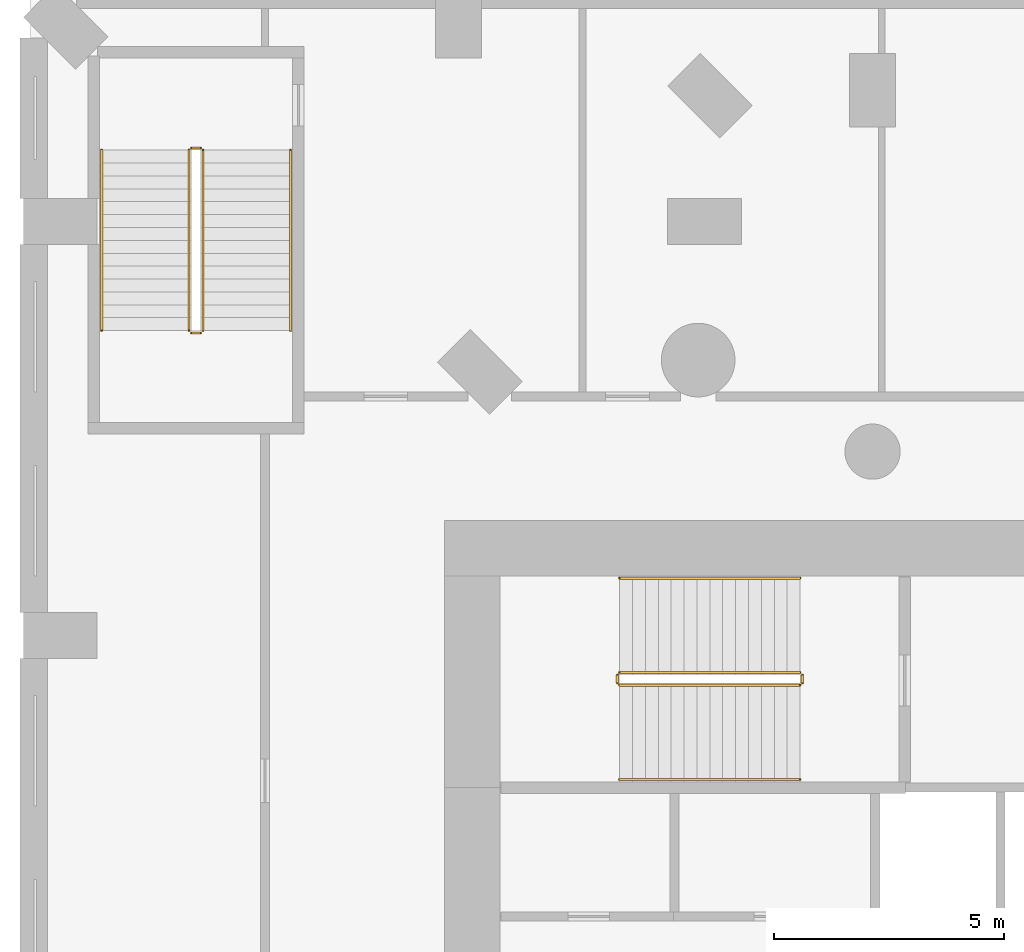
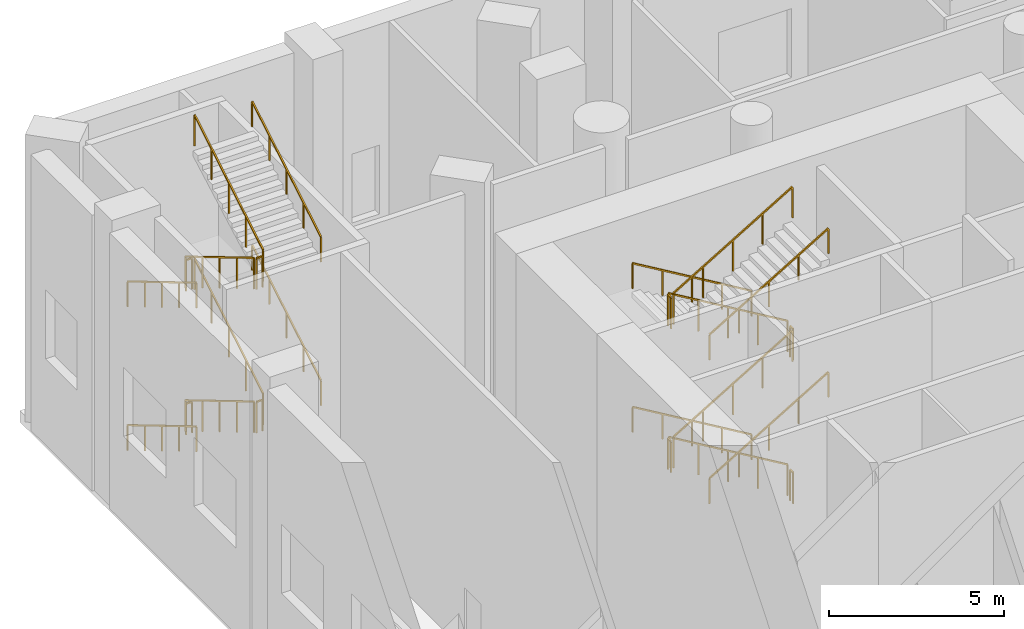
# One storey, part 16 of 17: 24 railings.
"""IFC4 building model written with IfcOpenShell, lengths in metres."""

from ifc_helpers import new_model, si_unit, direction, frame, origin, origin_2d, place, context, subcontext, project, spatial, rectangle, extrude, material, type_object, element, save


model = new_model("IFC4")

# Units and contexts
model_context = context("Model", 3, precision=1e-05, world=origin(), true_north=direction((0.0, 1.0)))
body_context = subcontext(model_context, "Body", "Model", "MODEL_VIEW")
ifc_project = project(units=[si_unit("LENGTHUNIT", "METRE"), si_unit("AREAUNIT", "SQUARE_METRE"), si_unit("VOLUMEUNIT", "CUBIC_METRE"), si_unit("PLANEANGLEUNIT", "RADIAN"), si_unit("MASSUNIT", "GRAM", prefix="KILO")], contexts=[model_context])

# Site, building, storey
site_placement = place(None, origin())
site = spatial("IfcSite", under=ifc_project, at=site_placement, CompositionType="ELEMENT")
building_placement = place(site_placement, origin())
building = spatial("IfcBuilding", under=site, at=building_placement, Name="Cypress Arch Tower", CompositionType="ELEMENT")
storey_placement = place(building_placement, frame((0.0, 0.0, 19.0)))
storey = spatial("IfcBuildingStorey", under=building, at=storey_placement, Name="L02", CompositionType="ELEMENT", Elevation=19.0)

# Railings
ifc_material_1 = material(Name="Black powder-coated steel square bar 48 mm", Category="steel")
railing_type_1 = type_object("IfcRailingType", Name="Stair handrail HR1", PredefinedType="HANDRAIL", material=ifc_material_1)
railing_1_placement = place(storey_placement, frame((-22.27490234375, 14.75, 0.166748046875)))
element("IfcRailing", 1, at=railing_1_placement, inside=storey, type_object=railing_type_1, Name="L02 B stair handrail 1", PredefinedType="HANDRAIL", context=body_context, shape_type="SweptSolid", body=[
    extrude(rectangle(XDim=0.048095703125, YDim=0.048095703125, at=origin_2d()), frame((0.0, 0.0, 0.8759765625), z_axis=(-0.859310244771, 0.0, 0.511454693235), x_axis=(0.0, -1.0, 0.0)), (0.0, 0.0, 1.0), 4.56201171875),
    extrude(rectangle(XDim=0.0419921875, YDim=0.0419921875, at=origin_2d()), origin(), (0.0, 0.0, 1.0), 0.851806640625),
    extrude(rectangle(XDim=0.0419921875, YDim=0.0419921875, at=origin_2d()), frame((-0.97998046875, 0.0, 0.583251953125)), (0.0, 0.0, 1.0), 0.851806640625),
    extrude(rectangle(XDim=0.0419921875, YDim=0.0419921875, at=origin_2d()), frame((-1.9599609375, 0.0, 1.16650390625)), (0.0, 0.0, 1.0), 0.851806640625),
    extrude(rectangle(XDim=0.0419921875, YDim=0.0419921875, at=origin_2d()), frame((-2.940185546875, 0.0, 1.75)), (0.0, 0.0, 1.0), 0.851806640625),
    extrude(rectangle(XDim=0.0419921875, YDim=0.0419921875, at=origin_2d()), frame((-3.920166015625, 0.0, 2.333251953125)), (0.0, 0.0, 1.0), 0.851806640625),
])
railing_2_placement = place(storey_placement, frame((-26.195068359375, 10.375, 2.666748046875)))
element("IfcRailing", 2, at=railing_2_placement, inside=storey, type_object=railing_type_1, Name="L02 B stair handrail 2", PredefinedType="HANDRAIL", context=body_context, shape_type="SweptSolid", body=[
    extrude(rectangle(XDim=0.048095703125, YDim=0.048095703125, at=origin_2d()), frame((0.0, 0.0, 0.8759765625), z_axis=(0.859310244771, 0.0, 0.511454693235), x_axis=(0.0, 1.0, 0.0)), (0.0, 0.0, 1.0), 4.56201171875),
    extrude(rectangle(XDim=0.0419921875, YDim=0.0419921875, at=origin_2d()), origin(), (0.0, 0.0, 1.0), 0.851806640625),
    extrude(rectangle(XDim=0.0419921875, YDim=0.0419921875, at=origin_2d()), frame((0.97998046875, 0.0, 0.583251953125)), (0.0, 0.0, 1.0), 0.851806640625),
    extrude(rectangle(XDim=0.0419921875, YDim=0.0419921875, at=origin_2d()), frame((1.9599609375, 0.0, 1.16650390625)), (0.0, 0.0, 1.0), 0.851806640625),
    extrude(rectangle(XDim=0.0419921875, YDim=0.0419921875, at=origin_2d()), frame((2.940185546875, 0.0, 1.75)), (0.0, 0.0, 1.0), 0.851806640625),
    extrude(rectangle(XDim=0.0419921875, YDim=0.0419921875, at=origin_2d()), frame((3.920166015625, 0.0, 2.333251953125)), (0.0, 0.0, 1.0), 0.851806640625),
])
railing_3_placement = place(storey_placement, frame((-22.27490234375, 14.75, 5.166748046875)))
element("IfcRailing", 3, at=railing_3_placement, inside=storey, type_object=railing_type_1, Name="L02 B stair handrail 3", PredefinedType="HANDRAIL", context=body_context, shape_type="SweptSolid", body=[
    extrude(rectangle(XDim=0.048095703125, YDim=0.048095703125, at=origin_2d()), frame((0.0, 0.0, 0.8759765625), z_axis=(-0.859310244771, 0.0, 0.511454693235), x_axis=(0.0, -1.0, 0.0)), (0.0, 0.0, 1.0), 4.56201171875),
    extrude(rectangle(XDim=0.0419921875, YDim=0.0419921875, at=origin_2d()), origin(), (0.0, 0.0, 1.0), 0.851806640625),
    extrude(rectangle(XDim=0.0419921875, YDim=0.0419921875, at=origin_2d()), frame((-0.97998046875, 0.0, 0.583251953125)), (0.0, 0.0, 1.0), 0.851806640625),
    extrude(rectangle(XDim=0.0419921875, YDim=0.0419921875, at=origin_2d()), frame((-1.9599609375, 0.0, 1.16650390625)), (0.0, 0.0, 1.0), 0.851806640625),
    extrude(rectangle(XDim=0.0419921875, YDim=0.0419921875, at=origin_2d()), frame((-2.940185546875, 0.0, 1.75)), (0.0, 0.0, 1.0), 0.851806640625),
    extrude(rectangle(XDim=0.0419921875, YDim=0.0419921875, at=origin_2d()), frame((-3.920166015625, 0.0, 2.333251953125)), (0.0, 0.0, 1.0), 0.851806640625),
])
railing_4_placement = place(storey_placement, frame((-26.195068359375, 10.375, 7.666748046875)))
element("IfcRailing", 4, at=railing_4_placement, inside=storey, type_object=railing_type_1, Name="L02 B stair handrail 4", PredefinedType="HANDRAIL", context=body_context, shape_type="SweptSolid", body=[
    extrude(rectangle(XDim=0.048095703125, YDim=0.048095703125, at=origin_2d()), frame((0.0, 0.0, 0.8759765625), z_axis=(0.859310244771, 0.0, 0.511454693235), x_axis=(0.0, 1.0, 0.0)), (0.0, 0.0, 1.0), 4.56201171875),
    extrude(rectangle(XDim=0.0419921875, YDim=0.0419921875, at=origin_2d()), origin(), (0.0, 0.0, 1.0), 0.851806640625),
    extrude(rectangle(XDim=0.0419921875, YDim=0.0419921875, at=origin_2d()), frame((0.97998046875, 0.0, 0.583251953125)), (0.0, 0.0, 1.0), 0.851806640625),
    extrude(rectangle(XDim=0.0419921875, YDim=0.0419921875, at=origin_2d()), frame((1.9599609375, 0.0, 1.16650390625)), (0.0, 0.0, 1.0), 0.851806640625),
    extrude(rectangle(XDim=0.0419921875, YDim=0.0419921875, at=origin_2d()), frame((2.940185546875, 0.0, 1.75)), (0.0, 0.0, 1.0), 0.851806640625),
    extrude(rectangle(XDim=0.0419921875, YDim=0.0419921875, at=origin_2d()), frame((3.920166015625, 0.0, 2.333251953125)), (0.0, 0.0, 1.0), 0.851806640625),
])
railing_5_placement = place(storey_placement, frame((-37.449951171875, 24.050048828125, 0.166748046875)))
element("IfcRailing", 5, at=railing_5_placement, inside=storey, type_object=railing_type_1, Name="L02 P2 stair handrail 1", PredefinedType="HANDRAIL", context=body_context, shape_type="SweptSolid", body=[
    extrude(rectangle(XDim=0.048095703125, YDim=0.048095703125, at=origin_2d()), frame((0.0, 0.0, 0.8759765625), z_axis=(0.0, -0.859310244771, 0.511454693235), x_axis=(1.0, 0.0, 0.0)), (0.0, 0.0, 1.0), 4.56201171875),
    extrude(rectangle(XDim=0.0419921875, YDim=0.0419921875, at=origin_2d()), origin(), (0.0, 0.0, 1.0), 0.851806640625),
    extrude(rectangle(XDim=0.0419921875, YDim=0.0419921875, at=origin_2d()), frame((0.0, -0.97998046875, 0.583251953125)), (0.0, 0.0, 1.0), 0.851806640625),
    extrude(rectangle(XDim=0.0419921875, YDim=0.0419921875, at=origin_2d()), frame((0.0, -1.9599609375, 1.16650390625)), (0.0, 0.0, 1.0), 0.851806640625),
    extrude(rectangle(XDim=0.0419921875, YDim=0.0419921875, at=origin_2d()), frame((0.0, -2.940185546875, 1.75)), (0.0, 0.0, 1.0), 0.851806640625),
    extrude(rectangle(XDim=0.0419921875, YDim=0.0419921875, at=origin_2d()), frame((0.0, -3.920166015625, 2.333251953125)), (0.0, 0.0, 1.0), 0.851806640625),
])
railing_6_placement = place(storey_placement, frame((-33.35009765625, 20.1298828125, 2.666748046875)))
element("IfcRailing", 6, at=railing_6_placement, inside=storey, type_object=railing_type_1, Name="L02 P2 stair handrail 2", PredefinedType="HANDRAIL", context=body_context, shape_type="SweptSolid", body=[
    extrude(rectangle(XDim=0.048095703125, YDim=0.048095703125, at=origin_2d()), frame((0.0, 0.0, 0.8759765625), z_axis=(0.0, 0.859310244771, 0.511454693235), x_axis=(-1.0, 0.0, 0.0)), (0.0, 0.0, 1.0), 4.56201171875),
    extrude(rectangle(XDim=0.0419921875, YDim=0.0419921875, at=origin_2d()), origin(), (0.0, 0.0, 1.0), 0.851806640625),
    extrude(rectangle(XDim=0.0419921875, YDim=0.0419921875, at=origin_2d()), frame((0.0, 0.97998046875, 0.583251953125)), (0.0, 0.0, 1.0), 0.851806640625),
    extrude(rectangle(XDim=0.0419921875, YDim=0.0419921875, at=origin_2d()), frame((0.0, 1.9599609375, 1.16650390625)), (0.0, 0.0, 1.0), 0.851806640625),
    extrude(rectangle(XDim=0.0419921875, YDim=0.0419921875, at=origin_2d()), frame((0.0, 2.940185546875, 1.75)), (0.0, 0.0, 1.0), 0.851806640625),
    extrude(rectangle(XDim=0.0419921875, YDim=0.0419921875, at=origin_2d()), frame((0.0, 3.920166015625, 2.333251953125)), (0.0, 0.0, 1.0), 0.851806640625),
])
railing_7_placement = place(storey_placement, frame((-37.449951171875, 24.050048828125, 5.166748046875)))
element("IfcRailing", 7, at=railing_7_placement, inside=storey, type_object=railing_type_1, Name="L02 P2 stair handrail 3", PredefinedType="HANDRAIL", context=body_context, shape_type="SweptSolid", body=[
    extrude(rectangle(XDim=0.048095703125, YDim=0.048095703125, at=origin_2d()), frame((0.0, 0.0, 0.8759765625), z_axis=(0.0, -0.859310244771, 0.511454693235), x_axis=(1.0, 0.0, 0.0)), (0.0, 0.0, 1.0), 4.56201171875),
    extrude(rectangle(XDim=0.0419921875, YDim=0.0419921875, at=origin_2d()), origin(), (0.0, 0.0, 1.0), 0.851806640625),
    extrude(rectangle(XDim=0.0419921875, YDim=0.0419921875, at=origin_2d()), frame((0.0, -0.97998046875, 0.583251953125)), (0.0, 0.0, 1.0), 0.851806640625),
    extrude(rectangle(XDim=0.0419921875, YDim=0.0419921875, at=origin_2d()), frame((0.0, -1.9599609375, 1.16650390625)), (0.0, 0.0, 1.0), 0.851806640625),
    extrude(rectangle(XDim=0.0419921875, YDim=0.0419921875, at=origin_2d()), frame((0.0, -2.940185546875, 1.75)), (0.0, 0.0, 1.0), 0.851806640625),
    extrude(rectangle(XDim=0.0419921875, YDim=0.0419921875, at=origin_2d()), frame((0.0, -3.920166015625, 2.333251953125)), (0.0, 0.0, 1.0), 0.851806640625),
])
railing_8_placement = place(storey_placement, frame((-33.35009765625, 20.1298828125, 7.666748046875)))
element("IfcRailing", 8, at=railing_8_placement, inside=storey, type_object=railing_type_1, Name="L02 P2 stair handrail 4", PredefinedType="HANDRAIL", context=body_context, shape_type="SweptSolid", body=[
    extrude(rectangle(XDim=0.048095703125, YDim=0.048095703125, at=origin_2d()), frame((0.0, 0.0, 0.8759765625), z_axis=(0.0, 0.859310244771, 0.511454693235), x_axis=(-1.0, 0.0, 0.0)), (0.0, 0.0, 1.0), 4.56201171875),
    extrude(rectangle(XDim=0.0419921875, YDim=0.0419921875, at=origin_2d()), origin(), (0.0, 0.0, 1.0), 0.851806640625),
    extrude(rectangle(XDim=0.0419921875, YDim=0.0419921875, at=origin_2d()), frame((0.0, 0.97998046875, 0.583251953125)), (0.0, 0.0, 1.0), 0.851806640625),
    extrude(rectangle(XDim=0.0419921875, YDim=0.0419921875, at=origin_2d()), frame((0.0, 1.9599609375, 1.16650390625)), (0.0, 0.0, 1.0), 0.851806640625),
    extrude(rectangle(XDim=0.0419921875, YDim=0.0419921875, at=origin_2d()), frame((0.0, 2.940185546875, 1.75)), (0.0, 0.0, 1.0), 0.851806640625),
    extrude(rectangle(XDim=0.0419921875, YDim=0.0419921875, at=origin_2d()), frame((0.0, 3.920166015625, 2.333251953125)), (0.0, 0.0, 1.0), 0.851806640625),
])
ifc_material_2 = material(Name="Black powder-coated steel balusters", Category="steel")
railing_type_2 = type_object("IfcRailingType", Name="Stair well guard G1", PredefinedType="GUARDRAIL", material=ifc_material_2)
railing_9_placement = place(storey_placement, frame((-22.27490234375, 12.699951171875, 0.166748046875)))
element("IfcRailing", 9, at=railing_9_placement, inside=storey, type_object=railing_type_2, Name="L02 B stair guard 1", PredefinedType="GUARDRAIL", context=body_context, shape_type="SweptSolid", body=[
    extrude(rectangle(XDim=0.048095703125, YDim=0.048095703125, at=origin_2d()), frame((0.0, 0.0, 1.076171875), z_axis=(-0.859310244771, 0.0, 0.511454693235), x_axis=(0.0, -1.0, 0.0)), (0.0, 0.0, 1.0), 4.56201171875),
    extrude(rectangle(XDim=0.0419921875, YDim=0.0419921875, at=origin_2d()), origin(), (0.0, 0.0, 1.0), 1.052001953125),
    extrude(rectangle(XDim=0.0419921875, YDim=0.0419921875, at=origin_2d()), frame((-0.97998046875, 0.0, 0.583251953125)), (0.0, 0.0, 1.0), 1.052001953125),
    extrude(rectangle(XDim=0.0419921875, YDim=0.0419921875, at=origin_2d()), frame((-1.9599609375, 0.0, 1.16650390625)), (0.0, 0.0, 1.0), 1.052001953125),
    extrude(rectangle(XDim=0.0419921875, YDim=0.0419921875, at=origin_2d()), frame((-2.940185546875, 0.0, 1.75)), (0.0, 0.0, 1.0), 1.052001953125),
    extrude(rectangle(XDim=0.0419921875, YDim=0.0419921875, at=origin_2d()), frame((-3.920166015625, 0.0, 2.333251953125)), (0.0, 0.0, 1.0), 1.052001953125),
])
railing_10_placement = place(storey_placement, frame((-26.2451171875, 12.64990234375, 2.5)))
element("IfcRailing", 10, at=railing_10_placement, inside=storey, type_object=railing_type_2, Name="L02 B stair guard 2", PredefinedType="GUARDRAIL", context=body_context, shape_type="SweptSolid", body=[
    extrude(rectangle(XDim=0.048095703125, YDim=0.048095703125, at=origin_2d()), frame((0.0, 0.0, 1.076171875), z_axis=(0.0, -1.0, 0.0), x_axis=(1.0, 0.0, 0.0)), (0.0, 0.0, 1.0), 0.1748046875),
    extrude(rectangle(XDim=0.0419921875, YDim=0.0419921875, at=origin_2d()), origin(), (0.0, 0.0, 1.0), 1.052001953125),
    extrude(rectangle(XDim=0.0419921875, YDim=0.0419921875, at=origin_2d()), frame((0.0, -0.1748046875, 0.0)), (0.0, 0.0, 1.0), 1.052001953125),
])
railing_11_placement = place(storey_placement, frame((-26.195068359375, 12.425048828125, 2.666748046875)))
element("IfcRailing", 11, at=railing_11_placement, inside=storey, type_object=railing_type_2, Name="L02 B stair guard 3", PredefinedType="GUARDRAIL", context=body_context, shape_type="SweptSolid", body=[
    extrude(rectangle(XDim=0.048095703125, YDim=0.048095703125, at=origin_2d()), frame((0.0, 0.0, 1.076171875), z_axis=(0.859310244771, 0.0, 0.511454693235), x_axis=(0.0, 1.0, 0.0)), (0.0, 0.0, 1.0), 4.56201171875),
    extrude(rectangle(XDim=0.0419921875, YDim=0.0419921875, at=origin_2d()), origin(), (0.0, 0.0, 1.0), 1.052001953125),
    extrude(rectangle(XDim=0.0419921875, YDim=0.0419921875, at=origin_2d()), frame((0.97998046875, 0.0, 0.583251953125)), (0.0, 0.0, 1.0), 1.052001953125),
    extrude(rectangle(XDim=0.0419921875, YDim=0.0419921875, at=origin_2d()), frame((1.9599609375, 0.0, 1.16650390625)), (0.0, 0.0, 1.0), 1.052001953125),
    extrude(rectangle(XDim=0.0419921875, YDim=0.0419921875, at=origin_2d()), frame((2.940185546875, 0.0, 1.75)), (0.0, 0.0, 1.0), 1.052001953125),
    extrude(rectangle(XDim=0.0419921875, YDim=0.0419921875, at=origin_2d()), frame((3.920166015625, 0.0, 2.333251953125)), (0.0, 0.0, 1.0), 1.052001953125),
])
railing_12_placement = place(storey_placement, frame((-22.22509765625, 12.64990234375, 5.0)))
element("IfcRailing", 12, at=railing_12_placement, inside=storey, type_object=railing_type_2, Name="L02 B stair guard 4", PredefinedType="GUARDRAIL", context=body_context, shape_type="SweptSolid", body=[
    extrude(rectangle(XDim=0.048095703125, YDim=0.048095703125, at=origin_2d()), frame((0.0, 0.0, 1.076171875), z_axis=(0.0, -1.0, 0.0), x_axis=(1.0, 0.0, 0.0)), (0.0, 0.0, 1.0), 0.1748046875),
    extrude(rectangle(XDim=0.0419921875, YDim=0.0419921875, at=origin_2d()), origin(), (0.0, 0.0, 1.0), 1.052001953125),
    extrude(rectangle(XDim=0.0419921875, YDim=0.0419921875, at=origin_2d()), frame((0.0, -0.1748046875, 0.0)), (0.0, 0.0, 1.0), 1.052001953125),
])
railing_13_placement = place(storey_placement, frame((-22.27490234375, 12.699951171875, 5.166748046875)))
element("IfcRailing", 13, at=railing_13_placement, inside=storey, type_object=railing_type_2, Name="L02 B stair guard 5", PredefinedType="GUARDRAIL", context=body_context, shape_type="SweptSolid", body=[
    extrude(rectangle(XDim=0.048095703125, YDim=0.048095703125, at=origin_2d()), frame((0.0, 0.0, 1.076171875), z_axis=(-0.859310244771, 0.0, 0.511454693235), x_axis=(0.0, -1.0, 0.0)), (0.0, 0.0, 1.0), 4.56201171875),
    extrude(rectangle(XDim=0.0419921875, YDim=0.0419921875, at=origin_2d()), origin(), (0.0, 0.0, 1.0), 1.052001953125),
    extrude(rectangle(XDim=0.0419921875, YDim=0.0419921875, at=origin_2d()), frame((-0.97998046875, 0.0, 0.583251953125)), (0.0, 0.0, 1.0), 1.052001953125),
    extrude(rectangle(XDim=0.0419921875, YDim=0.0419921875, at=origin_2d()), frame((-1.9599609375, 0.0, 1.16650390625)), (0.0, 0.0, 1.0), 1.052001953125),
    extrude(rectangle(XDim=0.0419921875, YDim=0.0419921875, at=origin_2d()), frame((-2.940185546875, 0.0, 1.75)), (0.0, 0.0, 1.0), 1.052001953125),
    extrude(rectangle(XDim=0.0419921875, YDim=0.0419921875, at=origin_2d()), frame((-3.920166015625, 0.0, 2.333251953125)), (0.0, 0.0, 1.0), 1.052001953125),
])
railing_14_placement = place(storey_placement, frame((-26.2451171875, 12.64990234375, 7.5)))
element("IfcRailing", 14, at=railing_14_placement, inside=storey, type_object=railing_type_2, Name="L02 B stair guard 6", PredefinedType="GUARDRAIL", context=body_context, shape_type="SweptSolid", body=[
    extrude(rectangle(XDim=0.048095703125, YDim=0.048095703125, at=origin_2d()), frame((0.0, 0.0, 1.076171875), z_axis=(0.0, -1.0, 0.0), x_axis=(1.0, 0.0, 0.0)), (0.0, 0.0, 1.0), 0.1748046875),
    extrude(rectangle(XDim=0.0419921875, YDim=0.0419921875, at=origin_2d()), origin(), (0.0, 0.0, 1.0), 1.052001953125),
    extrude(rectangle(XDim=0.0419921875, YDim=0.0419921875, at=origin_2d()), frame((0.0, -0.1748046875, 0.0)), (0.0, 0.0, 1.0), 1.052001953125),
])
railing_15_placement = place(storey_placement, frame((-26.195068359375, 12.425048828125, 7.666748046875)))
element("IfcRailing", 15, at=railing_15_placement, inside=storey, type_object=railing_type_2, Name="L02 B stair guard 7", PredefinedType="GUARDRAIL", context=body_context, shape_type="SweptSolid", body=[
    extrude(rectangle(XDim=0.048095703125, YDim=0.048095703125, at=origin_2d()), frame((0.0, 0.0, 1.076171875), z_axis=(0.859310244771, 0.0, 0.511454693235), x_axis=(0.0, 1.0, 0.0)), (0.0, 0.0, 1.0), 4.56201171875),
    extrude(rectangle(XDim=0.0419921875, YDim=0.0419921875, at=origin_2d()), origin(), (0.0, 0.0, 1.0), 1.052001953125),
    extrude(rectangle(XDim=0.0419921875, YDim=0.0419921875, at=origin_2d()), frame((0.97998046875, 0.0, 0.583251953125)), (0.0, 0.0, 1.0), 1.052001953125),
    extrude(rectangle(XDim=0.0419921875, YDim=0.0419921875, at=origin_2d()), frame((1.9599609375, 0.0, 1.16650390625)), (0.0, 0.0, 1.0), 1.052001953125),
    extrude(rectangle(XDim=0.0419921875, YDim=0.0419921875, at=origin_2d()), frame((2.940185546875, 0.0, 1.75)), (0.0, 0.0, 1.0), 1.052001953125),
    extrude(rectangle(XDim=0.0419921875, YDim=0.0419921875, at=origin_2d()), frame((3.920166015625, 0.0, 2.333251953125)), (0.0, 0.0, 1.0), 1.052001953125),
])
railing_16_placement = place(storey_placement, frame((-22.22509765625, 12.64990234375, 0.0)))
element("IfcRailing", 16, at=railing_16_placement, inside=storey, type_object=railing_type_2, Name="L02 B stair guard 8", PredefinedType="GUARDRAIL", context=body_context, shape_type="SweptSolid", body=[
    extrude(rectangle(XDim=0.048095703125, YDim=0.048095703125, at=origin_2d()), frame((0.0, 0.0, 1.076171875), z_axis=(0.0, -1.0, 0.0), x_axis=(1.0, 0.0, 0.0)), (0.0, 0.0, 1.0), 0.1748046875),
    extrude(rectangle(XDim=0.0419921875, YDim=0.0419921875, at=origin_2d()), origin(), (0.0, 0.0, 1.0), 1.052001953125),
    extrude(rectangle(XDim=0.0419921875, YDim=0.0419921875, at=origin_2d()), frame((0.0, -0.1748046875, 0.0)), (0.0, 0.0, 1.0), 1.052001953125),
])
railing_17_placement = place(storey_placement, frame((-35.550048828125, 24.050048828125, 0.166748046875)))
element("IfcRailing", 17, at=railing_17_placement, inside=storey, type_object=railing_type_2, Name="L02 P2 stair guard 1", PredefinedType="GUARDRAIL", context=body_context, shape_type="SweptSolid", body=[
    extrude(rectangle(XDim=0.048095703125, YDim=0.048095703125, at=origin_2d()), frame((0.0, 0.0, 1.076171875), z_axis=(0.0, -0.859310244771, 0.511454693235), x_axis=(1.0, 0.0, 0.0)), (0.0, 0.0, 1.0), 4.56201171875),
    extrude(rectangle(XDim=0.0419921875, YDim=0.0419921875, at=origin_2d()), origin(), (0.0, 0.0, 1.0), 1.052001953125),
    extrude(rectangle(XDim=0.0419921875, YDim=0.0419921875, at=origin_2d()), frame((0.0, -0.97998046875, 0.583251953125)), (0.0, 0.0, 1.0), 1.052001953125),
    extrude(rectangle(XDim=0.0419921875, YDim=0.0419921875, at=origin_2d()), frame((0.0, -1.9599609375, 1.16650390625)), (0.0, 0.0, 1.0), 1.052001953125),
    extrude(rectangle(XDim=0.0419921875, YDim=0.0419921875, at=origin_2d()), frame((0.0, -2.940185546875, 1.75)), (0.0, 0.0, 1.0), 1.052001953125),
    extrude(rectangle(XDim=0.0419921875, YDim=0.0419921875, at=origin_2d()), frame((0.0, -3.920166015625, 2.333251953125)), (0.0, 0.0, 1.0), 1.052001953125),
])
railing_18_placement = place(storey_placement, frame((-35.5, 20.080078125, 2.5)))
element("IfcRailing", 18, at=railing_18_placement, inside=storey, type_object=railing_type_2, Name="L02 P2 stair guard 2", PredefinedType="GUARDRAIL", context=body_context, shape_type="SweptSolid", body=[
    extrude(rectangle(XDim=0.048095703125, YDim=0.048095703125, at=origin_2d()), frame((0.0, 0.0, 1.076171875), z_axis=(1.0, 0.0, 0.0), x_axis=(0.0, 1.0, 0.0)), (0.0, 0.0, 1.0), 0.199951171875),
    extrude(rectangle(XDim=0.0419921875, YDim=0.0419921875, at=origin_2d()), origin(), (0.0, 0.0, 1.0), 1.052001953125),
    extrude(rectangle(XDim=0.0419921875, YDim=0.0419921875, at=origin_2d()), frame((0.199951171875, 0.0, 0.0)), (0.0, 0.0, 1.0), 1.052001953125),
])
railing_19_placement = place(storey_placement, frame((-35.25, 20.1298828125, 2.666748046875)))
element("IfcRailing", 19, at=railing_19_placement, inside=storey, type_object=railing_type_2, Name="L02 P2 stair guard 3", PredefinedType="GUARDRAIL", context=body_context, shape_type="SweptSolid", body=[
    extrude(rectangle(XDim=0.048095703125, YDim=0.048095703125, at=origin_2d()), frame((0.0, 0.0, 1.076171875), z_axis=(0.0, 0.859310244771, 0.511454693235), x_axis=(-1.0, 0.0, 0.0)), (0.0, 0.0, 1.0), 4.56201171875),
    extrude(rectangle(XDim=0.0419921875, YDim=0.0419921875, at=origin_2d()), origin(), (0.0, 0.0, 1.0), 1.052001953125),
    extrude(rectangle(XDim=0.0419921875, YDim=0.0419921875, at=origin_2d()), frame((0.0, 0.97998046875, 0.583251953125)), (0.0, 0.0, 1.0), 1.052001953125),
    extrude(rectangle(XDim=0.0419921875, YDim=0.0419921875, at=origin_2d()), frame((0.0, 1.9599609375, 1.16650390625)), (0.0, 0.0, 1.0), 1.052001953125),
    extrude(rectangle(XDim=0.0419921875, YDim=0.0419921875, at=origin_2d()), frame((0.0, 2.940185546875, 1.75)), (0.0, 0.0, 1.0), 1.052001953125),
    extrude(rectangle(XDim=0.0419921875, YDim=0.0419921875, at=origin_2d()), frame((0.0, 3.920166015625, 2.333251953125)), (0.0, 0.0, 1.0), 1.052001953125),
])
railing_20_placement = place(storey_placement, frame((-35.5, 24.10009765625, 5.0)))
element("IfcRailing", 20, at=railing_20_placement, inside=storey, type_object=railing_type_2, Name="L02 P2 stair guard 4", PredefinedType="GUARDRAIL", context=body_context, shape_type="SweptSolid", body=[
    extrude(rectangle(XDim=0.048095703125, YDim=0.048095703125, at=origin_2d()), frame((0.0, 0.0, 1.076171875), z_axis=(1.0, 0.0, 0.0), x_axis=(0.0, 1.0, 0.0)), (0.0, 0.0, 1.0), 0.199951171875),
    extrude(rectangle(XDim=0.0419921875, YDim=0.0419921875, at=origin_2d()), origin(), (0.0, 0.0, 1.0), 1.052001953125),
    extrude(rectangle(XDim=0.0419921875, YDim=0.0419921875, at=origin_2d()), frame((0.199951171875, 0.0, 0.0)), (0.0, 0.0, 1.0), 1.052001953125),
])
railing_21_placement = place(storey_placement, frame((-35.550048828125, 24.050048828125, 5.166748046875)))
element("IfcRailing", 21, at=railing_21_placement, inside=storey, type_object=railing_type_2, Name="L02 P2 stair guard 5", PredefinedType="GUARDRAIL", context=body_context, shape_type="SweptSolid", body=[
    extrude(rectangle(XDim=0.048095703125, YDim=0.048095703125, at=origin_2d()), frame((0.0, 0.0, 1.076171875), z_axis=(0.0, -0.859310244771, 0.511454693235), x_axis=(1.0, 0.0, 0.0)), (0.0, 0.0, 1.0), 4.56201171875),
    extrude(rectangle(XDim=0.0419921875, YDim=0.0419921875, at=origin_2d()), origin(), (0.0, 0.0, 1.0), 1.052001953125),
    extrude(rectangle(XDim=0.0419921875, YDim=0.0419921875, at=origin_2d()), frame((0.0, -0.97998046875, 0.583251953125)), (0.0, 0.0, 1.0), 1.052001953125),
    extrude(rectangle(XDim=0.0419921875, YDim=0.0419921875, at=origin_2d()), frame((0.0, -1.9599609375, 1.16650390625)), (0.0, 0.0, 1.0), 1.052001953125),
    extrude(rectangle(XDim=0.0419921875, YDim=0.0419921875, at=origin_2d()), frame((0.0, -2.940185546875, 1.75)), (0.0, 0.0, 1.0), 1.052001953125),
    extrude(rectangle(XDim=0.0419921875, YDim=0.0419921875, at=origin_2d()), frame((0.0, -3.920166015625, 2.333251953125)), (0.0, 0.0, 1.0), 1.052001953125),
])
railing_22_placement = place(storey_placement, frame((-35.5, 20.080078125, 7.5)))
element("IfcRailing", 22, at=railing_22_placement, inside=storey, type_object=railing_type_2, Name="L02 P2 stair guard 6", PredefinedType="GUARDRAIL", context=body_context, shape_type="SweptSolid", body=[
    extrude(rectangle(XDim=0.048095703125, YDim=0.048095703125, at=origin_2d()), frame((0.0, 0.0, 1.076171875), z_axis=(1.0, 0.0, 0.0), x_axis=(0.0, 1.0, 0.0)), (0.0, 0.0, 1.0), 0.199951171875),
    extrude(rectangle(XDim=0.0419921875, YDim=0.0419921875, at=origin_2d()), origin(), (0.0, 0.0, 1.0), 1.052001953125),
    extrude(rectangle(XDim=0.0419921875, YDim=0.0419921875, at=origin_2d()), frame((0.199951171875, 0.0, 0.0)), (0.0, 0.0, 1.0), 1.052001953125),
])
railing_23_placement = place(storey_placement, frame((-35.25, 20.1298828125, 7.666748046875)))
element("IfcRailing", 23, at=railing_23_placement, inside=storey, type_object=railing_type_2, Name="L02 P2 stair guard 7", PredefinedType="GUARDRAIL", context=body_context, shape_type="SweptSolid", body=[
    extrude(rectangle(XDim=0.048095703125, YDim=0.048095703125, at=origin_2d()), frame((0.0, 0.0, 1.076171875), z_axis=(0.0, 0.859310244771, 0.511454693235), x_axis=(-1.0, 0.0, 0.0)), (0.0, 0.0, 1.0), 4.56201171875),
    extrude(rectangle(XDim=0.0419921875, YDim=0.0419921875, at=origin_2d()), origin(), (0.0, 0.0, 1.0), 1.052001953125),
    extrude(rectangle(XDim=0.0419921875, YDim=0.0419921875, at=origin_2d()), frame((0.0, 0.97998046875, 0.583251953125)), (0.0, 0.0, 1.0), 1.052001953125),
    extrude(rectangle(XDim=0.0419921875, YDim=0.0419921875, at=origin_2d()), frame((0.0, 1.9599609375, 1.16650390625)), (0.0, 0.0, 1.0), 1.052001953125),
    extrude(rectangle(XDim=0.0419921875, YDim=0.0419921875, at=origin_2d()), frame((0.0, 2.940185546875, 1.75)), (0.0, 0.0, 1.0), 1.052001953125),
    extrude(rectangle(XDim=0.0419921875, YDim=0.0419921875, at=origin_2d()), frame((0.0, 3.920166015625, 2.333251953125)), (0.0, 0.0, 1.0), 1.052001953125),
])
railing_24_placement = place(storey_placement, frame((-35.5, 24.10009765625, 0.0)))
element("IfcRailing", 24, at=railing_24_placement, inside=storey, type_object=railing_type_2, Name="L02 P2 stair guard 8", PredefinedType="GUARDRAIL", context=body_context, shape_type="SweptSolid", body=[
    extrude(rectangle(XDim=0.048095703125, YDim=0.048095703125, at=origin_2d()), frame((0.0, 0.0, 1.076171875), z_axis=(1.0, 0.0, 0.0), x_axis=(0.0, 1.0, 0.0)), (0.0, 0.0, 1.0), 0.199951171875),
    extrude(rectangle(XDim=0.0419921875, YDim=0.0419921875, at=origin_2d()), origin(), (0.0, 0.0, 1.0), 1.052001953125),
    extrude(rectangle(XDim=0.0419921875, YDim=0.0419921875, at=origin_2d()), frame((0.199951171875, 0.0, 0.0)), (0.0, 0.0, 1.0), 1.052001953125),
])

save(model, "model.ifc")
